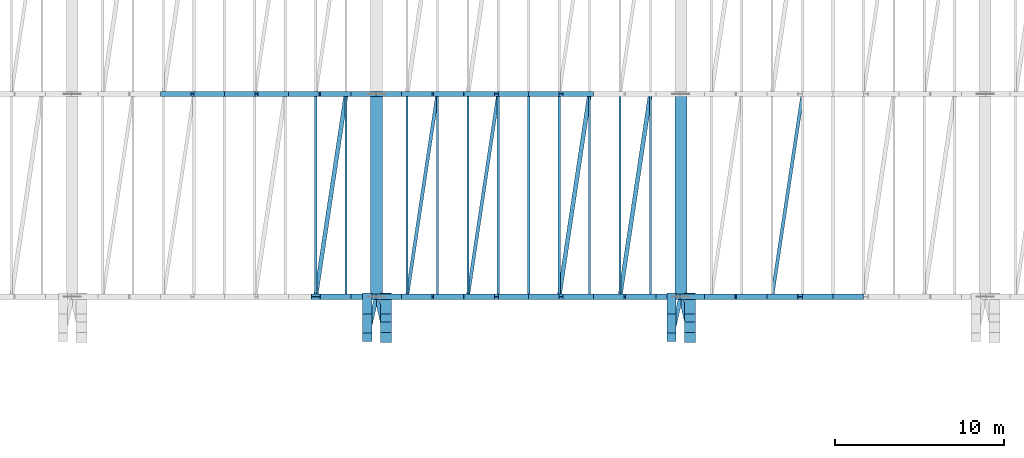
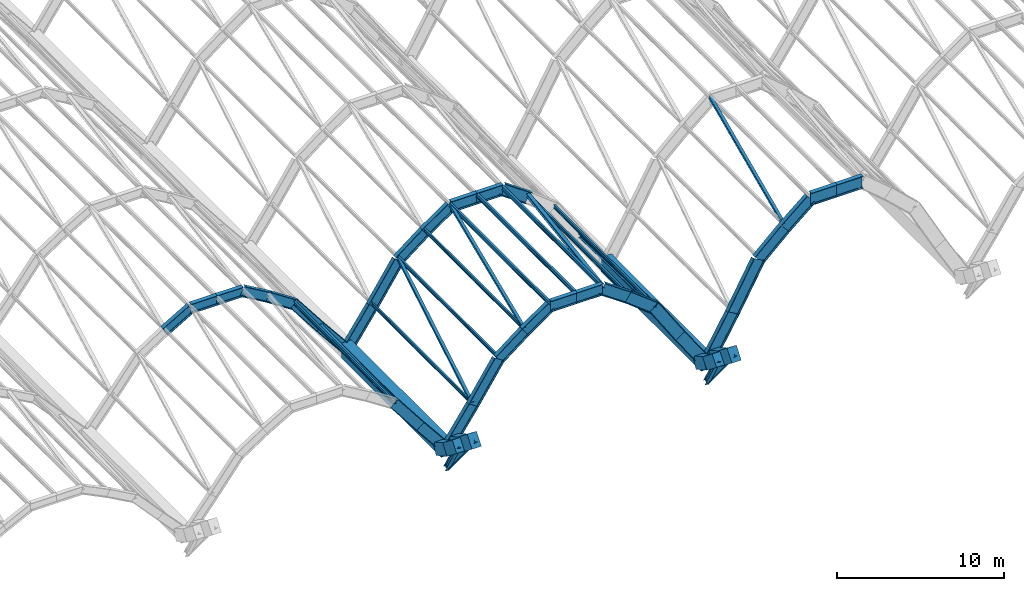
# One storey, part 8 of 86: 42 beams, 21 members.
"""IFC4 building model written with IfcOpenShell, lengths in metres."""

from ifc_helpers import new_model, si_unit, direction, frame, origin, origin_2d, place, context, subcontext, project, spatial, rectangle, i_section, extrude, material, material_profile, profile_set, type_object, element, save


model = new_model("IFC4")

# Units and contexts
model_context = context("Model", 3, precision=1e-05, world=origin(), true_north=direction((0.0, 1.0)))
body_context = subcontext(model_context, "Body", "Model", "MODEL_VIEW")
ifc_project = project(units=[si_unit("LENGTHUNIT", "METRE"), si_unit("AREAUNIT", "SQUARE_METRE"), si_unit("VOLUMEUNIT", "CUBIC_METRE"), si_unit("PLANEANGLEUNIT", "RADIAN"), si_unit("MASSUNIT", "GRAM", prefix="KILO")], contexts=[model_context])

# Site, building, storey
site_placement = place(None, origin())
site = spatial("IfcSite", under=ifc_project, at=site_placement, CompositionType="ELEMENT")
building_placement = place(site_placement, origin())
building = spatial("IfcBuilding", under=site, at=building_placement, Name="Chuanluo Vaults Station", CompositionType="ELEMENT")
storey_placement = place(building_placement, frame((0.0, 0.0, 14.39990234375)))
storey = spatial("IfcBuildingStorey", under=building, at=storey_placement, Name="L03", CompositionType="ELEMENT", Elevation=14.39990234375)

# Beams
ifc_material_1 = material(Name="Concrete C50", Category="concrete")
ifc_material_profile_1 = material_profile(ifc_material_1, rectangle(XDim=0.64990234375, YDim=0.949951171875, at=origin_2d()))
ifc_profile_set_1 = profile_set([ifc_material_profile_1], Name="Concrete C50")
beam_type_1 = type_object("IfcBeamType", Name="BM-CUSP-RC1", PredefinedType="USERDEFINED", material=ifc_profile_set_1)
beam_1_placement = place(storey_placement, frame((36.550048828125, 18.0, -0.5498046875), z_axis=(0.0, -0.872520545396, 0.488577422588), x_axis=(1.0, 0.0, 0.0)))
element("IfcBeam", 1, at=beam_1_placement, inside=storey, type_object=beam_type_1, Name="Vault V3 upturned cusp rib S-W chord 1", ObjectType="GIRDER", PredefinedType="USERDEFINED", context=body_context, shape_type="SweptSolid", body=[
    extrude(rectangle(XDim=0.64990234375, YDim=0.949951171875, at=origin_2d()), origin(), (0.0, 0.0, 1.0), 1.4326171875),
])
beam_2_placement = place(storey_placement, frame((36.550048828125, 16.75, 0.150146484375), z_axis=(0.0, -0.787512057463, 0.61629924497), x_axis=(1.0, 0.0, 0.0)))
element("IfcBeam", 2, at=beam_2_placement, inside=storey, type_object=beam_type_1, Name="Vault V3 upturned cusp rib S-W chord 2", ObjectType="GIRDER", PredefinedType="USERDEFINED", context=body_context, shape_type="SweptSolid", body=[
    extrude(rectangle(XDim=0.64990234375, YDim=0.949951171875, at=origin_2d()), origin(), (0.0, 0.0, 1.0), 1.460205078125),
])
beam_3_placement = place(storey_placement, frame((54.550048828125, 18.0, -0.5498046875), z_axis=(0.0, -0.872520545396, 0.488577422588), x_axis=(1.0, 0.0, 0.0)))
element("IfcBeam", 3, at=beam_3_placement, inside=storey, type_object=beam_type_1, Name="Vault V4 upturned cusp rib S-W chord 1", ObjectType="GIRDER", PredefinedType="USERDEFINED", context=body_context, shape_type="SweptSolid", body=[
    extrude(rectangle(XDim=0.64990234375, YDim=0.949951171875, at=origin_2d()), origin(), (0.0, 0.0, 1.0), 1.4326171875),
])
beam_4_placement = place(storey_placement, frame((54.550048828125, 16.75, 0.150146484375), z_axis=(0.0, -0.787512057463, 0.61629924497), x_axis=(1.0, 0.0, 0.0)))
element("IfcBeam", 4, at=beam_4_placement, inside=storey, type_object=beam_type_1, Name="Vault V4 upturned cusp rib S-W chord 2", ObjectType="GIRDER", PredefinedType="USERDEFINED", context=body_context, shape_type="SweptSolid", body=[
    extrude(rectangle(XDim=0.64990234375, YDim=0.949951171875, at=origin_2d()), origin(), (0.0, 0.0, 1.0), 1.460205078125),
])
ifc_material_2 = material(Name="Concrete C50", Category="concrete")
ifc_material_profile_2 = material_profile(ifc_material_2, rectangle(XDim=0.550048828125, YDim=0.85009765625, at=origin_2d()))
ifc_profile_set_2 = profile_set([ifc_material_profile_2], Name="Concrete C50")
beam_type_2 = type_object("IfcBeamType", Name="BM-CUSP-RC2", PredefinedType="USERDEFINED", material=ifc_profile_set_2)
beam_5_placement = place(storey_placement, frame((35.449951171875, 18.0, -0.5498046875), z_axis=(0.0, -0.872520545396, 0.488577422588), x_axis=(1.0, 0.0, 0.0)))
element("IfcBeam", 5, at=beam_5_placement, inside=storey, type_object=beam_type_2, Name="Vault V2 upturned cusp rib S-E chord 1", ObjectType="GIRDER", PredefinedType="USERDEFINED", context=body_context, shape_type="SweptSolid", body=[
    extrude(rectangle(XDim=0.550048828125, YDim=0.85009765625, at=origin_2d()), origin(), (0.0, 0.0, 1.0), 1.4326171875),
])
beam_6_placement = place(storey_placement, frame((35.449951171875, 16.75, 0.150146484375), z_axis=(0.0, -0.787512057463, 0.61629924497), x_axis=(1.0, 0.0, 0.0)))
element("IfcBeam", 6, at=beam_6_placement, inside=storey, type_object=beam_type_2, Name="Vault V2 upturned cusp rib S-E chord 2", ObjectType="GIRDER", PredefinedType="USERDEFINED", context=body_context, shape_type="SweptSolid", body=[
    extrude(rectangle(XDim=0.550048828125, YDim=0.85009765625, at=origin_2d()), origin(), (0.0, 0.0, 1.0), 1.460205078125),
])
beam_7_placement = place(storey_placement, frame((53.449951171875, 18.0, -0.5498046875), z_axis=(0.0, -0.872520545396, 0.488577422588), x_axis=(1.0, 0.0, 0.0)))
element("IfcBeam", 7, at=beam_7_placement, inside=storey, type_object=beam_type_2, Name="Vault V3 upturned cusp rib S-E chord 1", ObjectType="GIRDER", PredefinedType="USERDEFINED", context=body_context, shape_type="SweptSolid", body=[
    extrude(rectangle(XDim=0.550048828125, YDim=0.85009765625, at=origin_2d()), origin(), (0.0, 0.0, 1.0), 1.4326171875),
])
beam_8_placement = place(storey_placement, frame((53.449951171875, 16.75, 0.150146484375), z_axis=(0.0, -0.787512057463, 0.61629924497), x_axis=(1.0, 0.0, 0.0)))
element("IfcBeam", 8, at=beam_8_placement, inside=storey, type_object=beam_type_2, Name="Vault V3 upturned cusp rib S-E chord 2", ObjectType="GIRDER", PredefinedType="USERDEFINED", context=body_context, shape_type="SweptSolid", body=[
    extrude(rectangle(XDim=0.550048828125, YDim=0.85009765625, at=origin_2d()), origin(), (0.0, 0.0, 1.0), 1.460205078125),
])
ifc_material_3 = material(Name="Concrete C50", Category="concrete")
ifc_material_profile_3 = material_profile(ifc_material_3, rectangle(XDim=0.699951171875, YDim=1.10009765625, at=origin_2d()))
ifc_profile_set_3 = profile_set([ifc_material_profile_3], Name="Concrete C50")
beam_type_3 = type_object("IfcBeamType", Name="BM-VAL-RC", PredefinedType="USERDEFINED", material=ifc_profile_set_3)
for number, where, z_axis, x_axis, name in (
    (9, (36.0, 18.0, -0.7998046875), (0.0, 1.0, 0.0), (-1.0, 0.0, 0.0), "Vault springing valley beam X36-1"),
    (10, (54.0, 18.0, -0.7998046875), (0.0, 1.0, 0.0), (-1.0, 0.0, 0.0), "Vault springing valley beam X54-1"),
):
    element("IfcBeam", number, at=place(storey_placement, frame(where, z_axis=z_axis, x_axis=x_axis)), inside=storey, type_object=beam_type_3, Name=name, ObjectType="GIRDER", PredefinedType="USERDEFINED", context=body_context, shape_type="SweptSolid", body=[
        extrude(rectangle(XDim=0.699951171875, YDim=1.10009765625, at=origin_2d()), origin(), (0.0, 0.0, 1.0), 12.0),
    ])
ifc_material_4 = material(Name="Steel Q355C", Category="steel")
ifc_material_profile_4 = material_profile(ifc_material_4, i_section(OverallWidth=0.300048828125, OverallDepth=0.699951171875, WebThickness=0.012939453125, FlangeThickness=0.02392578125, FilletRadius=0.02392578125, at=origin_2d()))
ifc_profile_set_4 = profile_set([ifc_material_profile_4], Name="Steel Q355C")
beam_type_4 = type_object("IfcBeamType", Name="BM-VLT-700", PredefinedType="USERDEFINED", material=ifc_profile_set_4)
beam_9_placement = place(storey_placement, frame((32.39990234375, 18.0, 3.74560546875), z_axis=(0.613681275736, 0.0, -0.789553856182), x_axis=(0.0, 1.0, 0.0)))
element("IfcBeam", 11, at=beam_9_placement, inside=storey, type_object=beam_type_4, Name="Vault V2 arch rib 1 chord 9", ObjectType="GIRDER", PredefinedType="USERDEFINED", context=body_context, shape_type="SweptSolid", body=[
    extrude(i_section(OverallWidth=0.300048828125, OverallDepth=0.699951171875, WebThickness=0.012939453125, FlangeThickness=0.02392578125, FilletRadius=0.02392578125, at=origin_2d()), origin(), (0.0, 0.0, 1.0), 2.93310546875),
])
beam_10_placement = place(storey_placement, frame((34.199951171875, 18.0, 1.4296875), z_axis=(0.628190338877, 0.0, -0.778059700885), x_axis=(0.0, 1.0, 0.0)))
element("IfcBeam", 12, at=beam_10_placement, inside=storey, type_object=beam_type_4, Name="Vault V2 arch rib 1 chord 10", ObjectType="GIRDER", PredefinedType="USERDEFINED", context=body_context, shape_type="SweptSolid", body=[
    extrude(i_section(OverallWidth=0.300048828125, OverallDepth=0.699951171875, WebThickness=0.012939453125, FlangeThickness=0.02392578125, FilletRadius=0.02392578125, at=origin_2d()), origin(), (0.0, 0.0, 1.0), 2.865478515625),
])
beam_11_placement = place(storey_placement, frame((23.39990234375, 30.0, 4.92626953125), z_axis=(0.863009490662, 0.0, 0.505187706727), x_axis=(0.0, 1.0, 0.0)))
element("IfcBeam", 13, at=beam_11_placement, inside=storey, type_object=beam_type_4, Name="Vault V2 arch rib 2 chord 4", ObjectType="GIRDER", PredefinedType="USERDEFINED", context=body_context, shape_type="SweptSolid", body=[
    extrude(i_section(OverallWidth=0.300048828125, OverallDepth=0.699951171875, WebThickness=0.012939453125, FlangeThickness=0.02392578125, FilletRadius=0.02392578125, at=origin_2d()), origin(), (0.0, 0.0, 1.0), 2.085693359375),
])
for number, where, z_axis, x_axis, name in (
    (14, (25.199951171875, 30.0, 5.97998046875), (1.0, 0.0, 0.0), (0.0, 1.0, 0.0), "Vault V2 arch rib 2 chord 5"),
    (15, (27.0, 30.0, 5.97998046875), (1.0, 0.0, 0.0), (0.0, 1.0, 0.0), "Vault V2 arch rib 2 chord 6"),
):
    element("IfcBeam", number, at=place(storey_placement, frame(where, z_axis=z_axis, x_axis=x_axis)), inside=storey, type_object=beam_type_4, Name=name, ObjectType="GIRDER", PredefinedType="USERDEFINED", context=body_context, shape_type="SweptSolid", body=[
        extrude(i_section(OverallWidth=0.300048828125, OverallDepth=0.699951171875, WebThickness=0.012939453125, FlangeThickness=0.02392578125, FilletRadius=0.02392578125, at=origin_2d()), origin(), (0.0, 0.0, 1.0), 1.800048828125),
    ])
beam_12_placement = place(storey_placement, frame((28.800048828125, 30.0, 5.97998046875), z_axis=(0.863009490662, 0.0, -0.505187706727), x_axis=(0.0, 1.0, 0.0)))
element("IfcBeam", 16, at=beam_12_placement, inside=storey, type_object=beam_type_4, Name="Vault V2 arch rib 2 chord 7", ObjectType="GIRDER", PredefinedType="USERDEFINED", context=body_context, shape_type="SweptSolid", body=[
    extrude(i_section(OverallWidth=0.300048828125, OverallDepth=0.699951171875, WebThickness=0.012939453125, FlangeThickness=0.02392578125, FilletRadius=0.02392578125, at=origin_2d()), origin(), (0.0, 0.0, 1.0), 2.085693359375),
])
beam_13_placement = place(storey_placement, frame((30.60009765625, 30.0, 4.92626953125), z_axis=(0.836145448105, 0.0, -0.54850778446), x_axis=(0.0, 1.0, 0.0)))
element("IfcBeam", 17, at=beam_13_placement, inside=storey, type_object=beam_type_4, Name="Vault V2 arch rib 2 chord 8", ObjectType="GIRDER", PredefinedType="USERDEFINED", context=body_context, shape_type="SweptSolid", body=[
    extrude(i_section(OverallWidth=0.300048828125, OverallDepth=0.699951171875, WebThickness=0.012939453125, FlangeThickness=0.02392578125, FilletRadius=0.02392578125, at=origin_2d()), origin(), (0.0, 0.0, 1.0), 2.152587890625),
])
beam_14_placement = place(storey_placement, frame((32.39990234375, 30.0, 3.74560546875), z_axis=(0.613681275736, 0.0, -0.789553856182), x_axis=(0.0, 1.0, 0.0)))
element("IfcBeam", 18, at=beam_14_placement, inside=storey, type_object=beam_type_4, Name="Vault V2 arch rib 2 chord 9", ObjectType="GIRDER", PredefinedType="USERDEFINED", context=body_context, shape_type="SweptSolid", body=[
    extrude(i_section(OverallWidth=0.300048828125, OverallDepth=0.699951171875, WebThickness=0.012939453125, FlangeThickness=0.02392578125, FilletRadius=0.02392578125, at=origin_2d()), origin(), (0.0, 0.0, 1.0), 2.93310546875),
])
beam_15_placement = place(storey_placement, frame((34.199951171875, 30.0, 1.4296875), z_axis=(0.628190338877, 0.0, -0.778059700885), x_axis=(0.0, 1.0, 0.0)))
element("IfcBeam", 19, at=beam_15_placement, inside=storey, type_object=beam_type_4, Name="Vault V2 arch rib 2 chord 10", ObjectType="GIRDER", PredefinedType="USERDEFINED", context=body_context, shape_type="SweptSolid", body=[
    extrude(i_section(OverallWidth=0.300048828125, OverallDepth=0.699951171875, WebThickness=0.012939453125, FlangeThickness=0.02392578125, FilletRadius=0.02392578125, at=origin_2d()), origin(), (0.0, 0.0, 1.0), 2.865478515625),
])
ifc_material_5 = material(Name="Steel Q355C", Category="steel")
ifc_material_profile_5 = material_profile(ifc_material_5, i_section(OverallWidth=0.300048828125, OverallDepth=0.800048828125, WebThickness=0.013916015625, FlangeThickness=0.02587890625, FilletRadius=0.02392578125, at=origin_2d()))
ifc_profile_set_5 = profile_set([ifc_material_profile_5], Name="Steel Q355C")
beam_type_5 = type_object("IfcBeamType", Name="BM-VLT-800", PredefinedType="USERDEFINED", material=ifc_profile_set_5)
beam_16_placement = place(storey_placement, frame((36.0, 18.0, -0.849853515625), z_axis=(0.568880934439, 0.0, 0.822419894234), x_axis=(0.0, 1.0, 0.0)))
element("IfcBeam", 20, at=beam_16_placement, inside=storey, type_object=beam_type_5, Name="Vault V3 arch rib 1 chord 1", ObjectType="GIRDER", PredefinedType="USERDEFINED", context=body_context, shape_type="SweptSolid", body=[
    extrude(i_section(OverallWidth=0.300048828125, OverallDepth=0.800048828125, WebThickness=0.013916015625, FlangeThickness=0.02587890625, FilletRadius=0.02392578125, at=origin_2d()), origin(), (0.0, 0.0, 1.0), 3.164306640625),
])
beam_17_placement = place(storey_placement, frame((37.800048828125, 18.0, 1.75244140625), z_axis=(0.550471867992, 0.0, 0.834853713263), x_axis=(0.0, 1.0, 0.0)))
element("IfcBeam", 21, at=beam_17_placement, inside=storey, type_object=beam_type_5, Name="Vault V3 arch rib 1 chord 2", ObjectType="GIRDER", PredefinedType="USERDEFINED", context=body_context, shape_type="SweptSolid", body=[
    extrude(i_section(OverallWidth=0.300048828125, OverallDepth=0.800048828125, WebThickness=0.013916015625, FlangeThickness=0.02587890625, FilletRadius=0.02392578125, at=origin_2d()), origin(), (0.0, 0.0, 1.0), 3.27001953125),
])
beam_18_placement = place(storey_placement, frame((39.60009765625, 18.0, 4.482421875), z_axis=(0.790274889356, 0.0, 0.612752477965), x_axis=(0.0, 1.0, 0.0)))
element("IfcBeam", 22, at=beam_18_placement, inside=storey, type_object=beam_type_5, Name="Vault V3 arch rib 1 chord 3", ObjectType="GIRDER", PredefinedType="USERDEFINED", context=body_context, shape_type="SweptSolid", body=[
    extrude(i_section(OverallWidth=0.300048828125, OverallDepth=0.800048828125, WebThickness=0.013916015625, FlangeThickness=0.02587890625, FilletRadius=0.02392578125, at=origin_2d()), origin(), (0.0, 0.0, 1.0), 2.27734375),
])
beam_19_placement = place(storey_placement, frame((41.39990234375, 18.0, 5.8779296875), z_axis=(0.820907471123, 0.0, 0.571061226012), x_axis=(0.0, 1.0, 0.0)))
element("IfcBeam", 23, at=beam_19_placement, inside=storey, type_object=beam_type_5, Name="Vault V3 arch rib 1 chord 4", ObjectType="GIRDER", PredefinedType="USERDEFINED", context=body_context, shape_type="SweptSolid", body=[
    extrude(i_section(OverallWidth=0.300048828125, OverallDepth=0.800048828125, WebThickness=0.013916015625, FlangeThickness=0.02587890625, FilletRadius=0.02392578125, at=origin_2d()), origin(), (0.0, 0.0, 1.0), 2.19287109375),
])
for number, where, z_axis, x_axis, name in (
    (24, (43.199951171875, 18.0, 7.130126953125), (1.0, 0.0, 0.0), (0.0, 1.0, 0.0), "Vault V3 arch rib 1 chord 5"),
    (25, (45.0, 18.0, 7.130126953125), (1.0, 0.0, 0.0), (0.0, 1.0, 0.0), "Vault V3 arch rib 1 chord 6"),
):
    element("IfcBeam", number, at=place(storey_placement, frame(where, z_axis=z_axis, x_axis=x_axis)), inside=storey, type_object=beam_type_5, Name=name, ObjectType="GIRDER", PredefinedType="USERDEFINED", context=body_context, shape_type="SweptSolid", body=[
        extrude(i_section(OverallWidth=0.300048828125, OverallDepth=0.800048828125, WebThickness=0.013916015625, FlangeThickness=0.02587890625, FilletRadius=0.02392578125, at=origin_2d()), origin(), (0.0, 0.0, 1.0), 1.800048828125),
    ])
beam_20_placement = place(storey_placement, frame((46.800048828125, 18.0, 7.130126953125), z_axis=(0.820907471123, 0.0, -0.571061226012), x_axis=(0.0, 1.0, 0.0)))
element("IfcBeam", 26, at=beam_20_placement, inside=storey, type_object=beam_type_5, Name="Vault V3 arch rib 1 chord 7", ObjectType="GIRDER", PredefinedType="USERDEFINED", context=body_context, shape_type="SweptSolid", body=[
    extrude(i_section(OverallWidth=0.300048828125, OverallDepth=0.800048828125, WebThickness=0.013916015625, FlangeThickness=0.02587890625, FilletRadius=0.02392578125, at=origin_2d()), origin(), (0.0, 0.0, 1.0), 2.19287109375),
])
beam_21_placement = place(storey_placement, frame((48.60009765625, 18.0, 5.8779296875), z_axis=(0.790274889356, 0.0, -0.612752477965), x_axis=(0.0, 1.0, 0.0)))
element("IfcBeam", 27, at=beam_21_placement, inside=storey, type_object=beam_type_5, Name="Vault V3 arch rib 1 chord 8", ObjectType="GIRDER", PredefinedType="USERDEFINED", context=body_context, shape_type="SweptSolid", body=[
    extrude(i_section(OverallWidth=0.300048828125, OverallDepth=0.800048828125, WebThickness=0.013916015625, FlangeThickness=0.02587890625, FilletRadius=0.02392578125, at=origin_2d()), origin(), (0.0, 0.0, 1.0), 2.27734375),
])
beam_22_placement = place(storey_placement, frame((50.39990234375, 18.0, 4.482421875), z_axis=(0.550471867992, 0.0, -0.834853713263), x_axis=(0.0, 1.0, 0.0)))
element("IfcBeam", 28, at=beam_22_placement, inside=storey, type_object=beam_type_5, Name="Vault V3 arch rib 1 chord 9", ObjectType="GIRDER", PredefinedType="USERDEFINED", context=body_context, shape_type="SweptSolid", body=[
    extrude(i_section(OverallWidth=0.300048828125, OverallDepth=0.800048828125, WebThickness=0.013916015625, FlangeThickness=0.02587890625, FilletRadius=0.02392578125, at=origin_2d()), origin(), (0.0, 0.0, 1.0), 3.27001953125),
])
for number, where, z_axis, x_axis, name in (
    (29, (52.199951171875, 18.0, 1.75244140625), (0.568880934439, 0.0, -0.822419894234), (0.0, 1.0, 0.0), "Vault V3 arch rib 1 chord 10"),
    (30, (36.0, 30.0, -0.849853515625), (0.568880934439, 0.0, 0.822419894234), (0.0, 1.0, 0.0), "Vault V3 arch rib 2 chord 1"),
):
    element("IfcBeam", number, at=place(storey_placement, frame(where, z_axis=z_axis, x_axis=x_axis)), inside=storey, type_object=beam_type_5, Name=name, ObjectType="GIRDER", PredefinedType="USERDEFINED", context=body_context, shape_type="SweptSolid", body=[
        extrude(i_section(OverallWidth=0.300048828125, OverallDepth=0.800048828125, WebThickness=0.013916015625, FlangeThickness=0.02587890625, FilletRadius=0.02392578125, at=origin_2d()), origin(), (0.0, 0.0, 1.0), 3.164306640625),
    ])
beam_23_placement = place(storey_placement, frame((37.800048828125, 30.0, 1.75244140625), z_axis=(0.550471867992, 0.0, 0.834853713263), x_axis=(0.0, 1.0, 0.0)))
element("IfcBeam", 31, at=beam_23_placement, inside=storey, type_object=beam_type_5, Name="Vault V3 arch rib 2 chord 2", ObjectType="GIRDER", PredefinedType="USERDEFINED", context=body_context, shape_type="SweptSolid", body=[
    extrude(i_section(OverallWidth=0.300048828125, OverallDepth=0.800048828125, WebThickness=0.013916015625, FlangeThickness=0.02587890625, FilletRadius=0.02392578125, at=origin_2d()), origin(), (0.0, 0.0, 1.0), 3.27001953125),
])
beam_24_placement = place(storey_placement, frame((39.60009765625, 30.0, 4.482421875), z_axis=(0.790274889356, 0.0, 0.612752477965), x_axis=(0.0, 1.0, 0.0)))
element("IfcBeam", 32, at=beam_24_placement, inside=storey, type_object=beam_type_5, Name="Vault V3 arch rib 2 chord 3", ObjectType="GIRDER", PredefinedType="USERDEFINED", context=body_context, shape_type="SweptSolid", body=[
    extrude(i_section(OverallWidth=0.300048828125, OverallDepth=0.800048828125, WebThickness=0.013916015625, FlangeThickness=0.02587890625, FilletRadius=0.02392578125, at=origin_2d()), origin(), (0.0, 0.0, 1.0), 2.27734375),
])
beam_25_placement = place(storey_placement, frame((41.39990234375, 30.0, 5.8779296875), z_axis=(0.820907471123, 0.0, 0.571061226012), x_axis=(0.0, 1.0, 0.0)))
element("IfcBeam", 33, at=beam_25_placement, inside=storey, type_object=beam_type_5, Name="Vault V3 arch rib 2 chord 4", ObjectType="GIRDER", PredefinedType="USERDEFINED", context=body_context, shape_type="SweptSolid", body=[
    extrude(i_section(OverallWidth=0.300048828125, OverallDepth=0.800048828125, WebThickness=0.013916015625, FlangeThickness=0.02587890625, FilletRadius=0.02392578125, at=origin_2d()), origin(), (0.0, 0.0, 1.0), 2.19287109375),
])
for number, where, z_axis, x_axis, name in (
    (34, (43.199951171875, 30.0, 7.130126953125), (1.0, 0.0, 0.0), (0.0, 1.0, 0.0), "Vault V3 arch rib 2 chord 5"),
    (35, (45.0, 30.0, 7.130126953125), (1.0, 0.0, 0.0), (0.0, 1.0, 0.0), "Vault V3 arch rib 2 chord 6"),
):
    element("IfcBeam", number, at=place(storey_placement, frame(where, z_axis=z_axis, x_axis=x_axis)), inside=storey, type_object=beam_type_5, Name=name, ObjectType="GIRDER", PredefinedType="USERDEFINED", context=body_context, shape_type="SweptSolid", body=[
        extrude(i_section(OverallWidth=0.300048828125, OverallDepth=0.800048828125, WebThickness=0.013916015625, FlangeThickness=0.02587890625, FilletRadius=0.02392578125, at=origin_2d()), origin(), (0.0, 0.0, 1.0), 1.800048828125),
    ])
beam_26_placement = place(storey_placement, frame((46.800048828125, 30.0, 7.130126953125), z_axis=(0.820907471123, 0.0, -0.571061226012), x_axis=(0.0, 1.0, 0.0)))
element("IfcBeam", 36, at=beam_26_placement, inside=storey, type_object=beam_type_5, Name="Vault V3 arch rib 2 chord 7", ObjectType="GIRDER", PredefinedType="USERDEFINED", context=body_context, shape_type="SweptSolid", body=[
    extrude(i_section(OverallWidth=0.300048828125, OverallDepth=0.800048828125, WebThickness=0.013916015625, FlangeThickness=0.02587890625, FilletRadius=0.02392578125, at=origin_2d()), origin(), (0.0, 0.0, 1.0), 2.19287109375),
])
ifc_material_6 = material(Name="Steel Q355C", Category="steel")
ifc_material_profile_6 = material_profile(ifc_material_6, i_section(OverallWidth=0.300048828125, OverallDepth=0.89990234375, WebThickness=0.01611328125, FlangeThickness=0.028076171875, FilletRadius=0.02392578125, at=origin_2d()))
ifc_profile_set_6 = profile_set([ifc_material_profile_6], Name="Steel Q355C")
beam_type_6 = type_object("IfcBeamType", Name="BM-VLT-900", PredefinedType="USERDEFINED", material=ifc_profile_set_6)
beam_27_placement = place(storey_placement, frame((54.0, 18.0, -0.89990234375), z_axis=(0.502607424266, 0.0, 0.864514763941), x_axis=(0.0, 1.0, 0.0)))
element("IfcBeam", 37, at=beam_27_placement, inside=storey, type_object=beam_type_6, Name="Vault V4 arch rib 1 chord 1", ObjectType="GIRDER", PredefinedType="USERDEFINED", context=body_context, shape_type="SweptSolid", body=[
    extrude(i_section(OverallWidth=0.300048828125, OverallDepth=0.89990234375, WebThickness=0.01611328125, FlangeThickness=0.028076171875, FilletRadius=0.02392578125, at=origin_2d()), origin(), (0.0, 0.0, 1.0), 3.58154296875),
])
beam_28_placement = place(storey_placement, frame((55.800048828125, 18.0, 2.1962890625), z_axis=(0.480856872349, 0.0, 0.876799103738), x_axis=(0.0, 1.0, 0.0)))
element("IfcBeam", 38, at=beam_28_placement, inside=storey, type_object=beam_type_6, Name="Vault V4 arch rib 1 chord 2", ObjectType="GIRDER", PredefinedType="USERDEFINED", context=body_context, shape_type="SweptSolid", body=[
    extrude(i_section(OverallWidth=0.300048828125, OverallDepth=0.89990234375, WebThickness=0.01611328125, FlangeThickness=0.028076171875, FilletRadius=0.02392578125, at=origin_2d()), origin(), (0.0, 0.0, 1.0), 3.743408203125),
])
beam_29_placement = place(storey_placement, frame((57.60009765625, 18.0, 5.478515625), z_axis=(0.730389392317, 0.0, 0.683030991676), x_axis=(0.0, 1.0, 0.0)))
element("IfcBeam", 39, at=beam_29_placement, inside=storey, type_object=beam_type_6, Name="Vault V4 arch rib 1 chord 3", ObjectType="GIRDER", PredefinedType="USERDEFINED", context=body_context, shape_type="SweptSolid", body=[
    extrude(i_section(OverallWidth=0.300048828125, OverallDepth=0.89990234375, WebThickness=0.01611328125, FlangeThickness=0.028076171875, FilletRadius=0.02392578125, at=origin_2d()), origin(), (0.0, 0.0, 1.0), 2.464111328125),
])
beam_30_placement = place(storey_placement, frame((59.39990234375, 18.0, 7.16162109375), z_axis=(0.76434097912, 0.0, 0.644812273176), x_axis=(0.0, 1.0, 0.0)))
element("IfcBeam", 40, at=beam_30_placement, inside=storey, type_object=beam_type_6, Name="Vault V4 arch rib 1 chord 4", ObjectType="GIRDER", PredefinedType="USERDEFINED", context=body_context, shape_type="SweptSolid", body=[
    extrude(i_section(OverallWidth=0.300048828125, OverallDepth=0.89990234375, WebThickness=0.01611328125, FlangeThickness=0.028076171875, FilletRadius=0.02392578125, at=origin_2d()), origin(), (0.0, 0.0, 1.0), 2.35498046875),
])
for number, where, z_axis, x_axis, name in (
    (41, (61.199951171875, 18.0, 8.68017578125), (1.0, 0.0, 0.0), (0.0, 1.0, 0.0), "Vault V4 arch rib 1 chord 5"),
    (42, (63.0, 18.0, 8.68017578125), (1.0, 0.0, 0.0), (0.0, 1.0, 0.0), "Vault V4 arch rib 1 chord 6"),
):
    element("IfcBeam", number, at=place(storey_placement, frame(where, z_axis=z_axis, x_axis=x_axis)), inside=storey, type_object=beam_type_6, Name=name, ObjectType="GIRDER", PredefinedType="USERDEFINED", context=body_context, shape_type="SweptSolid", body=[
        extrude(i_section(OverallWidth=0.300048828125, OverallDepth=0.89990234375, WebThickness=0.01611328125, FlangeThickness=0.028076171875, FilletRadius=0.02392578125, at=origin_2d()), origin(), (0.0, 0.0, 1.0), 1.800048828125),
    ])

# Members
ifc_material_7 = material(Name="Steel Q355C", Category="steel")
ifc_material_profile_7 = material_profile(ifc_material_7, i_section(OverallWidth=0.25, OverallDepth=0.340087890625, WebThickness=0.009033203125, FlangeThickness=0.013916015625, FilletRadius=0.01611328125, at=origin_2d()))
ifc_profile_set_7 = profile_set([ifc_material_profile_7], Name="Steel Q355C")
member_type_1 = type_object("IfcMemberType", Name="MEM-CBR-340", PredefinedType="BRACE", material=ifc_profile_set_7)
for number, where, z_axis, x_axis, name in (
    (43, (36.0, 18.0, -2.25), (-0.133593569942, -0.582878292291, 0.801502123794), (0.974726021078, -0.223403634333, 0.0), "Upturned eave cusp raking prop S-X36-W"),
    (44, (36.0, 18.0, -2.25), (0.133593569942, -0.582878292291, 0.801502123794), (0.974726021078, 0.223403634333, 0.0), "Upturned eave cusp raking prop S-X36-E"),
    (45, (54.0, 18.0, -2.25), (-0.133593569942, -0.582878292291, 0.801502123794), (0.974726021078, -0.223403634333, 0.0), "Upturned eave cusp raking prop S-X54-W"),
    (46, (54.0, 18.0, -2.25), (0.133593569942, -0.582878292291, 0.801502123794), (0.974726021078, 0.223403634333, 0.0), "Upturned eave cusp raking prop S-X54-E"),
):
    element("IfcMember", number, at=place(storey_placement, frame(where, z_axis=z_axis, x_axis=x_axis)), inside=storey, type_object=member_type_1, Name=name, PredefinedType="BRACE", context=body_context, shape_type="SweptSolid", body=[
        extrude(i_section(OverallWidth=0.25, OverallDepth=0.340087890625, WebThickness=0.009033203125, FlangeThickness=0.013916015625, FilletRadius=0.01611328125, at=origin_2d()), origin(), (0.0, 0.0, 1.0), 4.117431640625),
    ])
ifc_material_8 = material(Name="Steel Q355C", Category="steel")
ifc_material_profile_8 = material_profile(ifc_material_8, i_section(OverallWidth=0.125, OverallDepth=0.25, WebThickness=0.006103515625, FlangeThickness=0.009033203125, FilletRadius=0.011962890625, at=origin_2d()))
ifc_profile_set_8 = profile_set([ifc_material_profile_8], Name="Steel Q355C")
member_type_2 = type_object("IfcMemberType", Name="MEM-PUR-250", PredefinedType="PURLIN", material=ifc_profile_set_8)
for number, where, z_axis, x_axis, name in (
    (47, (32.39990234375, 18.0, 3.849853515625), (0.0, 1.0, 0.0), (-1.0, 0.0, 0.0), "Vault V2 purlin 1.8"),
    (48, (34.199951171875, 18.0, 1.5126953125), (0.0, 1.0, 0.0), (-1.0, 0.0, 0.0), "Vault V2 purlin 1.9"),
    (49, (37.800048828125, 18.0, 1.86962890625), (0.0, 1.0, 0.0), (-1.0, 0.0, 0.0), "Vault V3 purlin 1.1"),
    (50, (39.60009765625, 18.0, 4.619384765625), (0.0, 1.0, 0.0), (-1.0, 0.0, 0.0), "Vault V3 purlin 1.2"),
    (51, (41.39990234375, 18.0, 6.062744140625), (0.0, 1.0, 0.0), (-1.0, 0.0, 0.0), "Vault V3 purlin 1.3"),
    (52, (48.60009765625, 18.0, 6.062744140625), (0.0, 1.0, 0.0), (-1.0, 0.0, 0.0), "Vault V3 purlin 1.7"),
    (53, (50.39990234375, 18.0, 4.619384765625), (0.0, 1.0, 0.0), (-1.0, 0.0, 0.0), "Vault V3 purlin 1.8"),
    (54, (52.199951171875, 18.0, 1.86962890625), (0.0, 1.0, 0.0), (-1.0, 0.0, 0.0), "Vault V3 purlin 1.9"),
):
    element("IfcMember", number, at=place(storey_placement, frame(where, z_axis=z_axis, x_axis=x_axis)), inside=storey, type_object=member_type_2, Name=name, PredefinedType="PURLIN", context=body_context, shape_type="SweptSolid", body=[
        extrude(i_section(OverallWidth=0.125, OverallDepth=0.25, WebThickness=0.006103515625, FlangeThickness=0.009033203125, FilletRadius=0.011962890625, at=origin_2d()), origin(), (0.0, 0.0, 1.0), 12.0),
    ])
ifc_material_9 = material(Name="Steel Q355C", Category="steel")
ifc_material_profile_9 = material_profile(ifc_material_9, i_section(OverallWidth=0.14990234375, OverallDepth=0.300048828125, WebThickness=0.006591796875, FlangeThickness=0.009033203125, FilletRadius=0.012939453125, at=origin_2d()))
ifc_profile_set_9 = profile_set([ifc_material_profile_9], Name="Steel Q355C")
member_type_3 = type_object("IfcMemberType", Name="MEM-PUR-300", PredefinedType="PURLIN", material=ifc_profile_set_9)
for number, where, z_axis, x_axis, name in (
    (55, (43.199951171875, 18.0, 7.264404296875), (0.0, 1.0, 0.0), (-1.0, 0.0, 0.0), "Vault V3 purlin 1.4"),
    (56, (45.0, 18.0, 7.3720703125), (0.0, 1.0, 0.0), (-1.0, 0.0, 0.0), "Vault V3 purlin 1.5"),
    (57, (46.800048828125, 18.0, 7.264404296875), (0.0, 1.0, 0.0), (-1.0, 0.0, 0.0), "Vault V3 purlin 1.6"),
):
    element("IfcMember", number, at=place(storey_placement, frame(where, z_axis=z_axis, x_axis=x_axis)), inside=storey, type_object=member_type_3, Name=name, PredefinedType="PURLIN", context=body_context, shape_type="SweptSolid", body=[
        extrude(i_section(OverallWidth=0.14990234375, OverallDepth=0.300048828125, WebThickness=0.006591796875, FlangeThickness=0.009033203125, FilletRadius=0.012939453125, at=origin_2d()), origin(), (0.0, 0.0, 1.0), 12.0),
    ])
ifc_material_10 = material(Name="Steel Q355C", Category="steel")
ifc_material_profile_10 = material_profile(ifc_material_10, i_section(OverallWidth=0.199951171875, OverallDepth=0.199951171875, WebThickness=0.008056640625, FlangeThickness=0.011962890625, FilletRadius=0.012939453125, at=origin_2d()))
ifc_profile_set_10 = profile_set([ifc_material_profile_10], Name="Steel Q355C")
member_type_4 = type_object("IfcMemberType", Name="MEM-VBR-200", PredefinedType="BRACE", material=ifc_profile_set_10)
member_1_placement = place(storey_placement, frame((37.800048828125, 18.0, 1.86962890625), z_axis=(0.144676148211, 0.964481491504, 0.221007386043), x_axis=(-0.988935762544, 0.148344388372, 0.0)))
element("IfcMember", 58, at=member_1_placement, inside=storey, type_object=member_type_4, Name="Vault V3 space-frame diagonal 1.1", PredefinedType="BRACE", context=body_context, shape_type="SweptSolid", body=[
    extrude(i_section(OverallWidth=0.199951171875, OverallDepth=0.199951171875, WebThickness=0.008056640625, FlangeThickness=0.011962890625, FilletRadius=0.012939453125, at=origin_2d()), origin(), (0.0, 0.0, 1.0), 12.44189453125),
])
member_2_placement = place(storey_placement, frame((41.39990234375, 18.0, 6.062744140625), z_axis=(0.147622287214, 0.984121885415, 0.098548338216), x_axis=(-0.988935762544, 0.148344388372, 0.0)))
element("IfcMember", 59, at=member_2_placement, inside=storey, type_object=member_type_4, Name="Vault V3 space-frame diagonal 1.3", PredefinedType="BRACE", context=body_context, shape_type="SweptSolid", body=[
    extrude(i_section(OverallWidth=0.199951171875, OverallDepth=0.199951171875, WebThickness=0.008056640625, FlangeThickness=0.011962890625, FilletRadius=0.012939453125, at=origin_2d()), origin(), (0.0, 0.0, 1.0), 12.193603515625),
])
member_3_placement = place(storey_placement, frame((59.39990234375, 18.0, 7.38720703125), z_axis=(0.147300719642, 0.981978159751, 0.118411957862), x_axis=(-0.988935762544, 0.148344388372, 0.0)))
element("IfcMember", 60, at=member_3_placement, inside=storey, type_object=member_type_4, Name="Vault V4 space-frame diagonal 1.3", PredefinedType="BRACE", context=body_context, shape_type="SweptSolid", body=[
    extrude(i_section(OverallWidth=0.199951171875, OverallDepth=0.199951171875, WebThickness=0.008056640625, FlangeThickness=0.011962890625, FilletRadius=0.012939453125, at=origin_2d()), origin(), (0.0, 0.0, 1.0), 12.22021484375),
])
ifc_material_11 = material(Name="Steel Q355C", Category="steel")
ifc_material_profile_11 = material_profile(ifc_material_11, i_section(OverallWidth=0.25, OverallDepth=0.25, WebThickness=0.009033203125, FlangeThickness=0.013916015625, FilletRadius=0.01611328125, at=origin_2d()))
ifc_profile_set_11 = profile_set([ifc_material_profile_11], Name="Steel Q355C")
member_type_5 = type_object("IfcMemberType", Name="MEM-VBR-250", PredefinedType="BRACE", material=ifc_profile_set_11)
member_4_placement = place(storey_placement, frame((32.39990234375, 18.0, 3.849853515625), z_axis=(0.145667019671, 0.971087122046, -0.189132019437), x_axis=(-0.988935762544, 0.148344388372, 0.0)))
element("IfcMember", 61, at=member_4_placement, inside=storey, type_object=member_type_5, Name="Vault V2 space-frame diagonal 1.8", PredefinedType="BRACE", context=body_context, shape_type="SweptSolid", body=[
    extrude(i_section(OverallWidth=0.25, OverallDepth=0.25, WebThickness=0.009033203125, FlangeThickness=0.013916015625, FilletRadius=0.01611328125, at=origin_2d()), origin(), (0.0, 0.0, 1.0), 12.357177734375),
])
member_5_placement = place(storey_placement, frame((46.800048828125, 18.0, 7.264404296875), z_axis=(0.147622287214, 0.984121885415, -0.098548338216), x_axis=(-0.988935762544, 0.148344388372, 0.0)))
element("IfcMember", 62, at=member_5_placement, inside=storey, type_object=member_type_5, Name="Vault V3 space-frame diagonal 1.6", PredefinedType="BRACE", context=body_context, shape_type="SweptSolid", body=[
    extrude(i_section(OverallWidth=0.25, OverallDepth=0.25, WebThickness=0.009033203125, FlangeThickness=0.013916015625, FilletRadius=0.01611328125, at=origin_2d()), origin(), (0.0, 0.0, 1.0), 12.193603515625),
])
member_6_placement = place(storey_placement, frame((50.39990234375, 18.0, 4.619384765625), z_axis=(0.144676148211, 0.964481491504, -0.221007386043), x_axis=(-0.988935762544, 0.148344388372, 0.0)))
element("IfcMember", 63, at=member_6_placement, inside=storey, type_object=member_type_5, Name="Vault V3 space-frame diagonal 1.8", PredefinedType="BRACE", context=body_context, shape_type="SweptSolid", body=[
    extrude(i_section(OverallWidth=0.25, OverallDepth=0.25, WebThickness=0.009033203125, FlangeThickness=0.013916015625, FilletRadius=0.01611328125, at=origin_2d()), origin(), (0.0, 0.0, 1.0), 12.44189453125),
])

save(model, "model.ifc")
